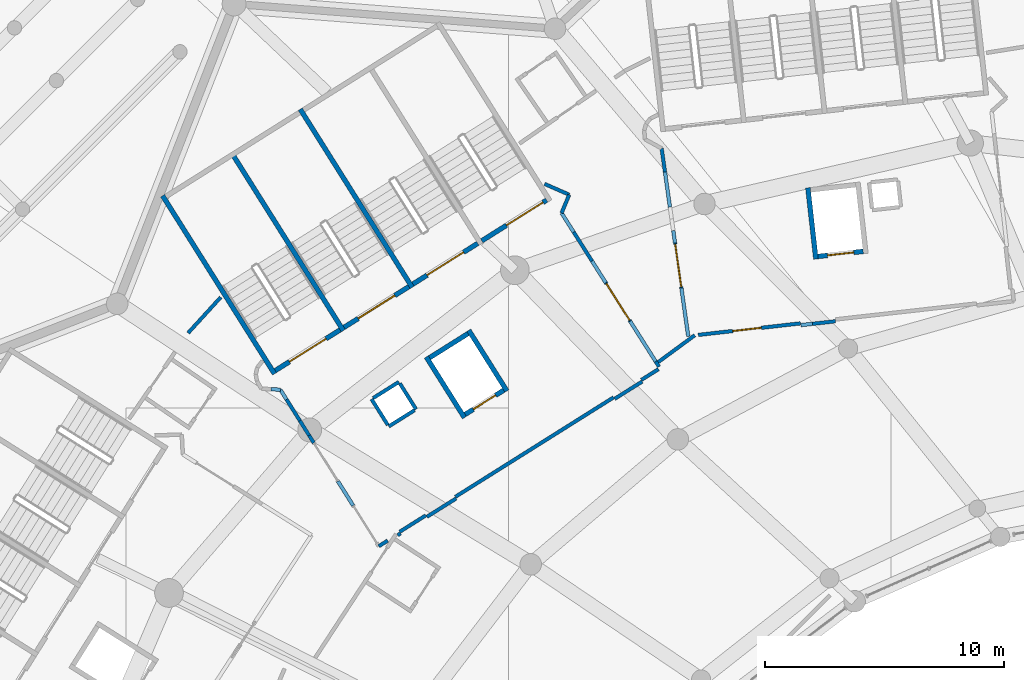
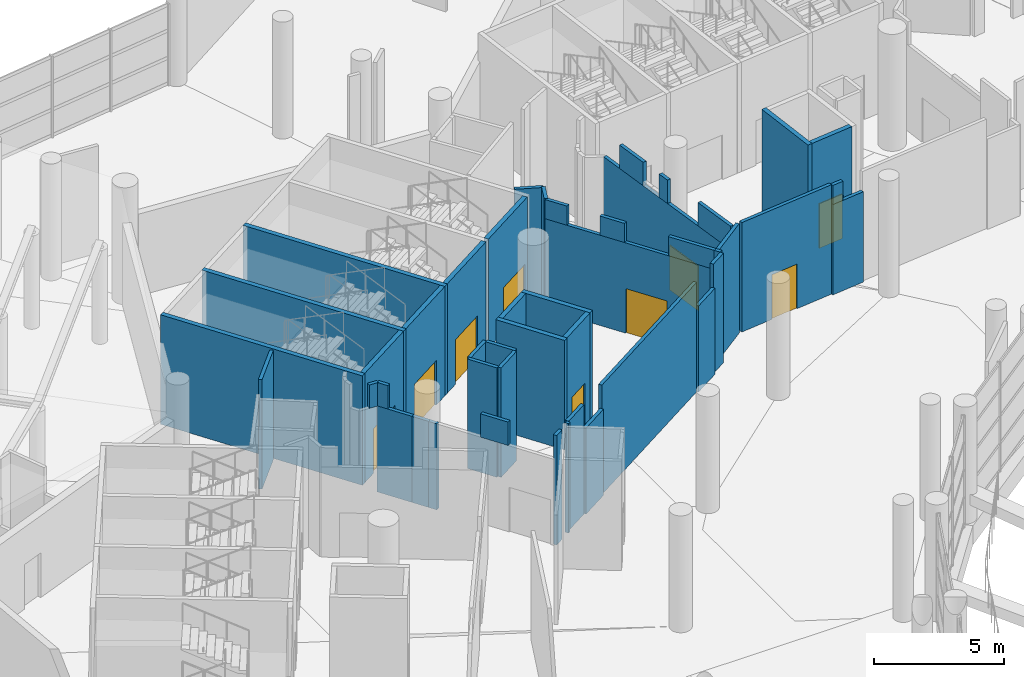
# One storey, part 185 of 271: 46 walls, 9 doors, 9 openings.
"""IFC4 building model written with IfcOpenShell, lengths in metres."""

from ifc_helpers import new_model, si_unit, direction, frame, frame_2d, origin, place, context, subcontext, project, spatial, rectangle, extrude, material, layer, layer_set, type_object, element, fill, save


model = new_model("IFC4")

# Units and contexts
model_context = context("Model", 3, precision=1e-05, world=origin(), true_north=direction((0.0, 1.0)))
body_context = subcontext(model_context, "Body", "Model", "MODEL_VIEW")
ifc_project = project(units=[si_unit("LENGTHUNIT", "METRE"), si_unit("AREAUNIT", "SQUARE_METRE"), si_unit("VOLUMEUNIT", "CUBIC_METRE"), si_unit("PLANEANGLEUNIT", "RADIAN"), si_unit("MASSUNIT", "GRAM", prefix="KILO")], contexts=[model_context])

# Site, building, storey
site_placement = place(None, origin())
site = spatial("IfcSite", under=ifc_project, at=site_placement, CompositionType="ELEMENT")
building_placement = place(site_placement, origin())
building = spatial("IfcBuilding", under=site, at=building_placement, Name="Meseta Stadium", CompositionType="ELEMENT")
storey_placement = place(building_placement, frame((0.0, 0.0, 6.5)))
storey = spatial("IfcBuildingStorey", under=building, at=storey_placement, Name="L01", CompositionType="ELEMENT", Elevation=6.5)

# Walls
ifc_material_1 = material(Name="Concrete C40/50", Category="concrete")
ifc_layer_1 = layer(ifc_material_1, 0.199951171875)
ifc_layer_set_1 = layer_set([ifc_layer_1], Name="Core divider wall 200")
wall_type_1 = type_object("IfcWallType", Name="Core divider wall 200", PredefinedType="SHEAR", material=ifc_layer_set_1)
wall_1_placement = place(storey_placement, frame((-75.5869140625, 90.696533203125, 0.0), z_axis=(0.0, 0.0, 1.0), x_axis=(0.532044832901, -0.846716183726, 0.0)))
element("IfcWall", 1, at=wall_1_placement, inside=storey, type_object=wall_type_1, Name="Core 13 L01 stair B divider wall", PredefinedType="SHEAR", context=body_context, shape_type="SweptSolid", body=[
    extrude(rectangle(XDim=8.7998046875, YDim=0.199951171875, at=frame_2d((4.39990234375, 0.0))), origin(), (0.0, 0.0, 1.0), 5.14990234375),
])
ifc_material_2 = material(Name="Concrete C40/50", Category="concrete")
ifc_layer_2 = layer(ifc_material_2, 0.199951171875)
ifc_layer_set_2 = layer_set([ifc_layer_2], Name="Core shaft wall 200")
wall_type_2 = type_object("IfcWallType", Name="Core shaft wall 200", PredefinedType="SHEAR", material=ifc_layer_set_2)
wall_2_placement = place(storey_placement, frame((-51.4755859375, 89.218505859375, 0.0), z_axis=(0.0, 0.0, 1.0), x_axis=(0.111976588553, -0.993710845073, 0.0)))
element("IfcWall", 2, at=wall_2_placement, inside=storey, type_object=wall_type_2, Name="Core 12 L01 lift shaft wall right", PredefinedType="SHEAR", context=body_context, shape_type="SweptSolid", body=[
    extrude(rectangle(XDim=3.0, YDim=0.199951171875, at=frame_2d((1.5, 0.0))), origin(), (0.0, 0.0, 1.0), 5.14990234375),
])

# Wall, opening, door
wall_3_placement = place(storey_placement, frame((-49.163330078125, 86.560791015625, 0.0), z_axis=(0.0, 0.0, 1.0), x_axis=(-0.993703808847, -0.112039012324, 0.0)))
wall_3 = element("IfcWall", 3, at=wall_3_placement, inside=storey, type_object=wall_type_2, Name="Core 12 L01 lift shaft front wall", PredefinedType="SHEAR", context=body_context, shape_type="SweptSolid", body=[
    extrude(rectangle(XDim=1.900146484375, YDim=0.199951171875, at=frame_2d((0.9501953125, 0.0))), origin(), (0.0, 0.0, 1.0), 5.14990234375),
])
opening_1_placement = place(wall_3_placement, frame((0.39990234375, 0.0, 0.0)))
opening_1 = element("IfcOpeningElement", 4, at=opening_1_placement, cuts=wall_3, Name="Opening LD65", PredefinedType="OPENING", context=body_context, shape_type="SweptSolid", body=[
    extrude(rectangle(XDim=1.10009765625, YDim=2.10009765625, at=frame_2d((0.550048828125, 1.050048828125))), frame((0.0, 0.10986328125, 0.0), z_axis=(0.0, -1.0, 0.0), x_axis=(1.0, 0.0, 0.0)), (0.0, 0.0, 1.0), 0.219970703125),
])
ifc_material_3 = material(Name="Steel", Category="steel")
door_type_1 = type_object("IfcDoorType", Name="Lift landing door 1100x2100", OperationType="SLIDING_TO_LEFT", PredefinedType="DOOR", material=ifc_material_3)
door_1_placement = place(opening_1_placement, origin())
door_1 = element("IfcDoor", 5, at=door_1_placement, inside=storey, type_object=door_type_1, Name="Lift landing door LD65", OperationType="SLIDING_TO_LEFT", OverallHeight=2.10009765625, OverallWidth=1.10009765625, PredefinedType="DOOR", context=body_context, shape_type="SweptSolid", body=[
    extrude(rectangle(XDim=1.10009765625, YDim=2.10009765625, at=frame_2d((0.550048828125, 1.050048828125))), frame((0.0, 0.02490234375, 0.0), z_axis=(0.0, -1.0, 0.0), x_axis=(1.0, 0.0, 0.0)), (0.0, 0.0, 1.0), 0.050048828125),
])
fill(opening_1, door_1)

# Walls
for number, where, z_axis, x_axis, name in (
    (6, (-72.7080078125, 92.505615234375, 0.0), (0.0, 0.0, 1.0), (0.532032334759, -0.846724036963, 0.0), "Core 13 L01 stair wall shared"),
    (7, (-78.4658203125, 88.8876953125, 0.0), (0.0, 0.0, 1.0), (0.532032334759, -0.846724036963, 0.0), "Core 13 L01 stair wall B-side"),
):
    element("IfcWall", number, at=place(storey_placement, frame(where, z_axis=z_axis, x_axis=x_axis)), inside=storey, type_object=wall_type_2, Name=name, PredefinedType="SHEAR", context=body_context, shape_type="SweptSolid", body=[
        extrude(rectangle(XDim=8.800048828125, YDim=0.199951171875, at=frame_2d((4.39990234375, 0.0))), origin(), (0.0, 0.0, 1.0), 5.14990234375),
    ])

# Wall, opening, door
wall_4_placement = place(storey_placement, frame((-62.40625, 88.70361328125, 0.0), z_axis=(0.0, 0.0, 1.0), x_axis=(-0.846735733015, -0.532013720158, 0.0)))
wall_4 = element("IfcWall", 8, at=wall_4_placement, inside=storey, type_object=wall_type_2, Name="Core 13 L01 stair A1 inner end wall", PredefinedType="SHEAR", context=body_context, shape_type="SweptSolid", body=[
    extrude(rectangle(XDim=3.199951171875, YDim=0.199951171875, at=frame_2d((1.60009765625, 0.0))), origin(), (0.0, 0.0, 1.0), 5.14990234375),
])
opening_2_placement = place(wall_4_placement, frame((0.177978515625, 0.0, 0.0)))
opening_2 = element("IfcOpeningElement", 9, at=opening_2_placement, cuts=wall_4, Name="Opening D183", PredefinedType="OPENING", context=body_context, shape_type="SweptSolid", body=[
    extrude(rectangle(XDim=1.800048828125, YDim=2.10009765625, at=frame_2d((0.89990234375, 1.050048828125))), frame((0.0, 0.10986328125, 0.0), z_axis=(0.0, -1.0, 0.0), x_axis=(1.0, 0.0, 0.0)), (0.0, 0.0, 1.0), 0.219970703125),
])
ifc_material_4 = material(Name="Steel", Category="steel")
door_type_2 = type_object("IfcDoorType", Name="Stair door 1800x2100", OperationType="DOUBLE_DOOR_SINGLE_SWING", PredefinedType="DOOR", material=ifc_material_4)
door_2_placement = place(opening_2_placement, origin())
door_2 = element("IfcDoor", 10, at=door_2_placement, inside=storey, type_object=door_type_2, Name="Stair A1 door 13 L01", OperationType="DOUBLE_DOOR_SINGLE_SWING", OverallHeight=2.10009765625, OverallWidth=1.800048828125, PredefinedType="DOOR", context=body_context, shape_type="SweptSolid", body=[
    extrude(rectangle(XDim=1.800048828125, YDim=2.10009765625, at=frame_2d((0.89990234375, 1.050048828125))), frame((0.0, 0.02490234375, 0.0), z_axis=(0.0, -1.0, 0.0), x_axis=(1.0, 0.0, 0.0)), (0.0, 0.0, 1.0), 0.050048828125),
])
fill(opening_2, door_2)

wall_5_placement = place(storey_placement, frame((-65.28515625, 86.894775390625, 0.0), z_axis=(0.0, 0.0, 1.0), x_axis=(-0.846735733015, -0.532013720158, 0.0)))
wall_5 = element("IfcWall", 11, at=wall_5_placement, inside=storey, type_object=wall_type_2, Name="Core 13 L01 stair A2 inner end wall", PredefinedType="SHEAR", context=body_context, shape_type="SweptSolid", body=[
    extrude(rectangle(XDim=3.199951171875, YDim=0.199951171875, at=frame_2d((1.60009765625, 0.0))), origin(), (0.0, 0.0, 1.0), 5.14990234375),
])
opening_3_placement = place(wall_5_placement, frame((0.699951171875, 0.0, 0.0)))
opening_3 = element("IfcOpeningElement", 12, at=opening_3_placement, cuts=wall_5, Name="Opening D184", PredefinedType="OPENING", context=body_context, shape_type="SweptSolid", body=[
    extrude(rectangle(XDim=1.800048828125, YDim=2.10009765625, at=frame_2d((0.89990234375, 1.050048828125))), frame((0.0, 0.10986328125, 0.0), z_axis=(0.0, -1.0, 0.0), x_axis=(1.0, 0.0, 0.0)), (0.0, 0.0, 1.0), 0.219970703125),
])
door_3_placement = place(opening_3_placement, origin())
door_3 = element("IfcDoor", 13, at=door_3_placement, inside=storey, type_object=door_type_2, Name="Stair A2 door 13 L01", OperationType="DOUBLE_DOOR_SINGLE_SWING", OverallHeight=2.10009765625, OverallWidth=1.800048828125, PredefinedType="DOOR", context=body_context, shape_type="SweptSolid", body=[
    extrude(rectangle(XDim=1.800048828125, YDim=2.10009765625, at=frame_2d((0.89990234375, 1.050048828125))), frame((0.0, 0.02490234375, 0.0), z_axis=(0.0, -1.0, 0.0), x_axis=(1.0, 0.0, 0.0)), (0.0, 0.0, 1.0), 0.050048828125),
])
fill(opening_3, door_3)

wall_6_placement = place(storey_placement, frame((-68.1640625, 85.0859375, 0.0), z_axis=(0.0, 0.0, 1.0), x_axis=(-0.84670136309, -0.53206841829, 0.0)))
wall_6 = element("IfcWall", 14, at=wall_6_placement, inside=storey, type_object=wall_type_2, Name="Core 13 L01 stair B1 inner end wall", PredefinedType="SHEAR", context=body_context, shape_type="SweptSolid", body=[
    extrude(rectangle(XDim=3.199951171875, YDim=0.199951171875, at=frame_2d((1.60009765625, 0.0))), origin(), (0.0, 0.0, 1.0), 5.14990234375),
])
opening_4_placement = place(wall_6_placement, frame((0.699951171875, 0.0, 0.0)))
opening_4 = element("IfcOpeningElement", 15, at=opening_4_placement, cuts=wall_6, Name="Opening D185", PredefinedType="OPENING", context=body_context, shape_type="SweptSolid", body=[
    extrude(rectangle(XDim=1.800048828125, YDim=2.10009765625, at=frame_2d((0.89990234375, 1.050048828125))), frame((0.0, 0.10986328125, 0.0), z_axis=(0.0, -1.0, 0.0), x_axis=(1.0, 0.0, 0.0)), (0.0, 0.0, 1.0), 0.219970703125),
])
door_4_placement = place(opening_4_placement, origin())
door_4 = element("IfcDoor", 16, at=door_4_placement, inside=storey, type_object=door_type_2, Name="Stair B1 door 13 L01", OperationType="DOUBLE_DOOR_SINGLE_SWING", OverallHeight=2.10009765625, OverallWidth=1.800048828125, PredefinedType="DOOR", context=body_context, shape_type="SweptSolid", body=[
    extrude(rectangle(XDim=1.800048828125, YDim=2.10009765625, at=frame_2d((0.89990234375, 1.050048828125))), frame((0.0, 0.02490234375, 0.0), z_axis=(0.0, -1.0, 0.0), x_axis=(1.0, 0.0, 0.0)), (0.0, 0.0, 1.0), 0.050048828125),
])
fill(opening_4, door_4)

wall_7_placement = place(storey_placement, frame((-71.04296875, 83.27685546875, 0.0), z_axis=(0.0, 0.0, 1.0), x_axis=(-0.846735733015, -0.532013720158, 0.0)))
wall_7 = element("IfcWall", 17, at=wall_7_placement, inside=storey, type_object=wall_type_2, Name="Core 13 L01 stair B2 inner end wall", PredefinedType="SHEAR", context=body_context, shape_type="SweptSolid", body=[
    extrude(rectangle(XDim=3.199951171875, YDim=0.199951171875, at=frame_2d((1.60009765625, 0.0))), origin(), (0.0, 0.0, 1.0), 5.14990234375),
])
opening_5_placement = place(wall_7_placement, frame((0.699951171875, 0.0, 0.0)))
opening_5 = element("IfcOpeningElement", 18, at=opening_5_placement, cuts=wall_7, Name="Opening D186", PredefinedType="OPENING", context=body_context, shape_type="SweptSolid", body=[
    extrude(rectangle(XDim=1.800048828125, YDim=2.10009765625, at=frame_2d((0.89990234375, 1.050048828125))), frame((0.0, 0.10986328125, 0.0), z_axis=(0.0, -1.0, 0.0), x_axis=(1.0, 0.0, 0.0)), (0.0, 0.0, 1.0), 0.219970703125),
])
door_5_placement = place(opening_5_placement, origin())
door_5 = element("IfcDoor", 19, at=door_5_placement, inside=storey, type_object=door_type_2, Name="Stair B2 door 13 L01", OperationType="DOUBLE_DOOR_SINGLE_SWING", OverallHeight=2.10009765625, OverallWidth=1.800048828125, PredefinedType="DOOR", context=body_context, shape_type="SweptSolid", body=[
    extrude(rectangle(XDim=1.800048828125, YDim=2.10009765625, at=frame_2d((0.89990234375, 1.050048828125))), frame((0.0, 0.02490234375, 0.0), z_axis=(0.0, -1.0, 0.0), x_axis=(1.0, 0.0, 0.0)), (0.0, 0.0, 1.0), 0.050048828125),
])
fill(opening_5, door_5)

# Walls
wall_8_placement = place(storey_placement, frame((-65.658935546875, 83.260498046875, 0.0), z_axis=(0.0, 0.0, 1.0), x_axis=(0.532074873955, -0.846697306306, 0.0)))
element("IfcWall", 20, at=wall_8_placement, inside=storey, type_object=wall_type_2, Name="Core 13 L01 lift shaft wall left", PredefinedType="SHEAR", context=body_context, shape_type="SweptSolid", body=[
    extrude(rectangle(XDim=3.0, YDim=0.199951171875, at=frame_2d((1.5, 0.0))), origin(), (0.0, 0.0, 1.0), 5.14990234375),
])
wall_9_placement = place(storey_placement, frame((-67.43701171875, 82.143310546875, 0.0), z_axis=(0.0, 0.0, 1.0), x_axis=(0.532038212918, -0.84672034344, 0.0)))
element("IfcWall", 21, at=wall_9_placement, inside=storey, type_object=wall_type_2, Name="Core 13 L01 lift shaft wall right", PredefinedType="SHEAR", context=body_context, shape_type="SweptSolid", body=[
    extrude(rectangle(XDim=3.000244140625, YDim=0.199951171875, at=frame_2d((1.5, 0.0))), origin(), (0.0, 0.0, 1.0), 5.14990234375),
])
wall_10_placement = place(storey_placement, frame((-65.6904296875, 83.122802734375, 0.0), z_axis=(0.0, 0.0, 1.0), x_axis=(-0.846674592738, -0.532111016623, 0.0)))
element("IfcWall", 22, at=wall_10_placement, inside=storey, type_object=wall_type_2, Name="Core 13 L01 lift shaft back wall", PredefinedType="SHEAR", context=body_context, shape_type="SweptSolid", body=[
    extrude(rectangle(XDim=1.89990234375, YDim=0.199951171875, at=frame_2d((0.949951171875, 0.0))), origin(), (0.0, 0.0, 1.0), 5.14990234375),
])

# Wall, opening, door
wall_11_placement = place(storey_placement, frame((-64.20068359375, 80.751708984375, 0.0), z_axis=(0.0, 0.0, 1.0), x_axis=(-0.846768850524, -0.531961007765, 0.0)))
wall_11 = element("IfcWall", 23, at=wall_11_placement, inside=storey, type_object=wall_type_2, Name="Core 13 L01 lift shaft front wall", PredefinedType="SHEAR", context=body_context, shape_type="SweptSolid", body=[
    extrude(rectangle(XDim=1.900146484375, YDim=0.199951171875, at=frame_2d((0.9501953125, 0.0))), origin(), (0.0, 0.0, 1.0), 5.14990234375),
])
opening_6_placement = place(wall_11_placement, frame((0.39990234375, 0.0, 0.0)))
opening_6 = element("IfcOpeningElement", 24, at=opening_6_placement, cuts=wall_11, Name="Opening LD70", PredefinedType="OPENING", context=body_context, shape_type="SweptSolid", body=[
    extrude(rectangle(XDim=1.10009765625, YDim=2.10009765625, at=frame_2d((0.550048828125, 1.050048828125))), frame((0.0, 0.10986328125, 0.0), z_axis=(0.0, -1.0, 0.0), x_axis=(1.0, 0.0, 0.0)), (0.0, 0.0, 1.0), 0.219970703125),
])
door_6_placement = place(opening_6_placement, origin())
door_6 = element("IfcDoor", 25, at=door_6_placement, inside=storey, type_object=door_type_1, Name="Lift landing door LD70", OperationType="SLIDING_TO_RIGHT", OverallHeight=2.10009765625, OverallWidth=1.10009765625, PredefinedType="DOOR", context=body_context, shape_type="SweptSolid", body=[
    extrude(rectangle(XDim=1.10009765625, YDim=2.10009765625, at=frame_2d((0.550048828125, 1.050048828125))), frame((0.0, 0.02490234375, 0.0), z_axis=(0.0, -1.0, 0.0), x_axis=(1.0, 0.0, 0.0)), (0.0, 0.0, 1.0), 0.050048828125),
])
fill(opening_6, door_6)

# Walls
ifc_material_5 = material(Name="Masonry blockwork", Category="masonry")
ifc_layer_3 = layer(ifc_material_5, 0.14990234375)
ifc_layer_set_3 = layer_set([ifc_layer_3], Name="Partition 150")
wall_type_3 = type_object("IfcWallType", Name="Partition 150", PredefinedType="PARTITIONING", material=ifc_layer_set_3)
wall_12_placement = place(storey_placement, frame((-58.4365234375, 81.18505859375, 0.0), z_axis=(0.0, 0.0, 1.0), x_axis=(0.846703986053, 0.532064244244, 0.0)))
element("IfcWall", 26, at=wall_12_placement, inside=storey, type_object=wall_type_3, Name="Partition L01 L01-cell11-0-0", PredefinedType="PARTITIONING", context=body_context, shape_type="SweptSolid", body=[
    extrude(rectangle(XDim=0.8388671875, YDim=0.14990234375, at=frame_2d((0.41943359375, 0.0))), origin(), (0.0, 0.0, 1.0), 5.14990234375),
])
wall_13_placement = place(storey_placement, frame((-57.796142578125, 81.883544921875, 0.0), z_axis=(0.0, 0.0, 1.0), x_axis=(0.805706705003, 0.592314701416, 0.0)))
element("IfcWall", 27, at=wall_13_placement, inside=storey, type_object=wall_type_3, Name="Partition L01 L01-cell11-0-0", PredefinedType="PARTITIONING", context=body_context, shape_type="SweptSolid", body=[
    extrude(rectangle(XDim=1.968994140625, YDim=0.14990234375, at=frame_2d((0.984375, 0.0))), origin(), (0.0, 0.0, 1.0), 5.14990234375),
])

# Wall, opening, door
wall_14_placement = place(storey_placement, frame((-56.060302734375, 83.06640625, 0.0), z_axis=(0.0, 0.0, 1.0), x_axis=(0.993712844466, 0.111958843972, 0.0)))
wall_14 = element("IfcWall", 28, at=wall_14_placement, inside=storey, type_object=wall_type_3, Name="Partition L01 L01-cell11-0-0", PredefinedType="PARTITIONING", context=body_context, shape_type="SweptSolid", body=[
    extrude(rectangle(XDim=4.298095703125, YDim=0.14990234375, at=frame_2d((2.14892578125, 0.0))), origin(), (0.0, 0.0, 1.0), 5.14990234375),
])
opening_7_placement = place(wall_14_placement, frame((1.449951171875, 0.0, 0.0)))
opening_7 = element("IfcOpeningElement", 29, at=opening_7_placement, cuts=wall_14, Name="Opening D654", PredefinedType="OPENING", context=body_context, shape_type="SweptSolid", body=[
    extrude(rectangle(XDim=1.199951171875, YDim=2.10009765625, at=frame_2d((0.60009765625, 1.050048828125))), frame((0.0, 0.0849609375, 0.0), z_axis=(0.0, -1.0, 0.0), x_axis=(1.0, 0.0, 0.0)), (0.0, 0.0, 1.0), 0.169921875),
])
ifc_material_6 = material(Name="Steel", Category="steel")
door_type_3 = type_object("IfcDoorType", Name="Fire door 1200x2100 EI2 60", OperationType="NOTDEFINED", PredefinedType="DOOR", material=ifc_material_6)
door_7_placement = place(opening_7_placement, origin())
door_7 = element("IfcDoor", 30, at=door_7_placement, inside=storey, type_object=door_type_3, Name="Door D654", OperationType="SINGLE_SWING_LEFT", OverallHeight=2.10009765625, OverallWidth=1.199951171875, PredefinedType="DOOR", context=body_context, shape_type="SweptSolid", body=[
    extrude(rectangle(XDim=1.199951171875, YDim=2.10009765625, at=frame_2d((0.60009765625, 1.050048828125))), frame((0.0, 0.02490234375, 0.0), z_axis=(0.0, -1.0, 0.0), x_axis=(1.0, 0.0, 0.0)), (0.0, 0.0, 1.0), 0.050048828125),
])
fill(opening_7, door_7)

# Walls
wall_15_placement = place(storey_placement, frame((-68.547607421875, 74.83154296875, 0.0), z_axis=(0.0, 0.0, 1.0), x_axis=(0.846736781525, 0.53201205138, 0.0)))
element("IfcWall", 31, at=wall_15_placement, inside=storey, type_object=wall_type_3, Name="Partition L01 L01-cell12-0-0", PredefinedType="PARTITIONING", context=body_context, shape_type="SweptSolid", body=[
    extrude(rectangle(XDim=1.285400390625, YDim=0.14990234375, at=frame_2d((0.642578125, 0.0))), origin(), (0.0, 0.0, 1.0), 5.14990234375),
])
wall_16_placement = place(storey_placement, frame((-66.21875, 76.294921875, 0.0), z_axis=(0.0, 0.0, 1.0), x_axis=(0.846710948696, 0.532053164035, 0.0)))
element("IfcWall", 32, at=wall_16_placement, inside=storey, type_object=wall_type_3, Name="Partition L01 L01-cell12-0-0", PredefinedType="PARTITIONING", context=body_context, shape_type="SweptSolid", body=[
    extrude(rectangle(XDim=7.81396484375, YDim=0.14990234375, at=frame_2d((3.906982421875, 0.0))), origin(), (0.0, 0.0, 1.0), 5.14990234375),
])
wall_17_placement = place(storey_placement, frame((-76.033935546875, 84.6416015625, 0.0), z_axis=(0.0, 0.0, 1.0), x_axis=(-0.674206513209, -0.738542874548, 0.0)))
element("IfcWall", 33, at=wall_17_placement, inside=storey, type_object=wall_type_3, Name="Partition L01 L01-cell12-2-0", PredefinedType="PARTITIONING", context=body_context, shape_type="SweptSolid", body=[
    extrude(rectangle(XDim=2.0263671875, YDim=0.14990234375, at=frame_2d((1.01318359375, 0.0))), origin(), (0.0, 0.0, 1.0), 5.14990234375),
])

# Wall, opening, door
wall_18_placement = place(storey_placement, frame((-57.592529296875, 90.867431640625, 0.0), z_axis=(0.0, 0.0, 1.0), x_axis=(0.140232964497, -0.990118536171, 0.0)))
wall_18 = element("IfcWall", 34, at=wall_18_placement, inside=storey, type_object=wall_type_3, Name="Stair vestibule wall L01 core 12", PredefinedType="PARTITIONING", context=body_context, shape_type="SweptSolid", body=[
    extrude(rectangle(XDim=7.938720703125, YDim=0.14990234375, at=frame_2d((3.96923828125, 0.0))), origin(), (0.0, 0.0, 1.0), 4.050048828125),
])
opening_8_placement = place(wall_18_placement, frame((4.050048828125, 0.0, 0.0)))
opening_8 = element("IfcOpeningElement", 35, at=opening_8_placement, cuts=wall_18, Name="Opening D771", PredefinedType="OPENING", context=body_context, shape_type="SweptSolid", body=[
    extrude(rectangle(XDim=1.800048828125, YDim=2.10009765625, at=frame_2d((0.89990234375, 1.050048828125))), frame((0.0, 0.0849609375, 0.0), z_axis=(0.0, -1.0, 0.0), x_axis=(1.0, 0.0, 0.0)), (0.0, 0.0, 1.0), 0.169921875),
])
ifc_material_7 = material(Name="Steel", Category="steel")
door_type_4 = type_object("IfcDoorType", Name="Fire double door 1800x2100 EI2 60", OperationType="DOUBLE_DOOR_SINGLE_SWING", PredefinedType="DOOR", material=ifc_material_7)
door_8_placement = place(opening_8_placement, origin())
door_8 = element("IfcDoor", 36, at=door_8_placement, inside=storey, type_object=door_type_4, Name="Stair vestibule door L01 core 12", OperationType="DOUBLE_DOOR_SINGLE_SWING", OverallHeight=2.10009765625, OverallWidth=1.800048828125, PredefinedType="DOOR", context=body_context, shape_type="SweptSolid", body=[
    extrude(rectangle(XDim=1.800048828125, YDim=2.10009765625, at=frame_2d((0.89990234375, 1.050048828125))), frame((0.0, 0.02490234375, 0.0), z_axis=(0.0, -1.0, 0.0), x_axis=(1.0, 0.0, 0.0)), (0.0, 0.0, 1.0), 0.050048828125),
])
fill(opening_8, door_8)

# Walls
wall_19_placement = place(storey_placement, frame((-57.453369140625, 89.885009765625, 4.050048828125), z_axis=(0.0, 0.0, 1.0), x_axis=(0.140227271462, -0.990119342473, 0.0)))
element("IfcWall", 37, at=wall_19_placement, inside=storey, type_object=wall_type_3, Name="Stair vestibule wall L01 core 12", PredefinedType="PARTITIONING", context=body_context, shape_type="SweptSolid", body=[
    extrude(rectangle(XDim=1.488525390625, YDim=0.14990234375, at=frame_2d((0.744140625, 0.0))), origin(), (0.0, 0.0, 1.0), 1.099853515625),
])
wall_20_placement = place(storey_placement, frame((-57.10546875, 87.4287109375, 4.050048828125), z_axis=(0.0, 0.0, 1.0), x_axis=(0.140383460203, -0.99009720942, 0.0)))
element("IfcWall", 38, at=wall_20_placement, inside=storey, type_object=wall_type_3, Name="Stair vestibule wall L01 core 12", PredefinedType="PARTITIONING", context=body_context, shape_type="SweptSolid", body=[
    extrude(rectangle(XDim=0.52685546875, YDim=0.14990234375, at=frame_2d((0.263427734375, 0.0))), origin(), (0.0, 0.0, 1.0), 1.099853515625),
])
wall_21_placement = place(storey_placement, frame((-51.77099609375, 83.474365234375, 0.0), z_axis=(0.0, 0.0, 1.0), x_axis=(0.993709511216, 0.111988424929, 0.0)))
element("IfcWall", 39, at=wall_21_placement, inside=storey, type_object=wall_type_3, Name="Stair vestibule wall L01 core 12", PredefinedType="PARTITIONING", context=body_context, shape_type="SweptSolid", body=[
    extrude(rectangle(XDim=1.462890625, YDim=0.14990234375, at=frame_2d((0.7314453125, 0.0))), origin(), (0.0, 0.0, 1.0), 4.25),
])
wall_22_placement = place(storey_placement, frame((-51.77099609375, 83.474365234375, 4.25), z_axis=(0.0, 0.0, 1.0), x_axis=(0.993748684421, 0.111640280416, 0.0)))
element("IfcWall", 40, at=wall_22_placement, inside=storey, type_object=wall_type_3, Name="Stair vestibule wall L01 core 12", PredefinedType="PARTITIONING", context=body_context, shape_type="SweptSolid", body=[
    extrude(rectangle(XDim=0.487548828125, YDim=0.14990234375, at=frame_2d((0.24365234375, 0.0))), origin(), (0.0, 0.0, 1.0), 0.89990234375),
])
for number, where, z_axis, x_axis, name in (
    (41, (-68.58203125, 81.09912109375, 0.0), (0.0, 0.0, 1.0), (-0.846683377265, -0.532097038765, 0.0), "Pressurisation shaft wall L01 core 13"),
    (42, (-69.72509765625, 80.380859375, 0.0), (0.0, 0.0, 1.0), (0.532097038765, -0.846683377265, 0.0), "Pressurisation shaft wall L01 core 13"),
):
    element("IfcWall", number, at=place(storey_placement, frame(where, z_axis=z_axis, x_axis=x_axis)), inside=storey, type_object=wall_type_3, Name=name, PredefinedType="PARTITIONING", context=body_context, shape_type="SweptSolid", body=[
        extrude(rectangle(XDim=1.275146484375, YDim=0.14990234375, at=frame_2d((0.6376953125, 0.0))), origin(), (0.0, 0.0, 1.0), 5.14990234375),
    ])
for number, where, z_axis, x_axis, name in (
    (43, (-69.0068359375, 79.23779296875, 0.0), (0.0, 0.0, 1.0), (0.846769635862, 0.531959757672, 0.0), "Pressurisation shaft wall L01 core 13"),
    (44, (-67.86376953125, 79.9560546875, 0.0), (0.0, 0.0, 1.0), (-0.531959757672, 0.846769635862, 0.0), "Pressurisation shaft wall L01 core 13"),
):
    element("IfcWall", number, at=place(storey_placement, frame(where, z_axis=z_axis, x_axis=x_axis)), inside=storey, type_object=wall_type_3, Name=name, PredefinedType="PARTITIONING", context=body_context, shape_type="SweptSolid", body=[
        extrude(rectangle(XDim=1.27490234375, YDim=0.14990234375, at=frame_2d((0.637451171875, 0.0))), origin(), (0.0, 0.0, 1.0), 5.14990234375),
    ])
wall_23_placement = place(storey_placement, frame((-73.93701171875, 80.79541015625, 4.050048828125), z_axis=(0.0, 0.0, 1.0), x_axis=(0.998641436445, -0.052108362245, 0.0)))
element("IfcWall", 45, at=wall_23_placement, inside=storey, type_object=wall_type_3, Name="Stair vestibule wall L01 core 13", PredefinedType="PARTITIONING", context=body_context, shape_type="SweptSolid", body=[
    extrude(rectangle(XDim=0.398193359375, YDim=0.14990234375, at=frame_2d((0.19921875, 0.0))), origin(), (0.0, 0.0, 1.0), 1.099853515625),
])
wall_24_placement = place(storey_placement, frame((-73.539306640625, 80.774658203125, 0.0), z_axis=(0.0, 0.0, 1.0), x_axis=(0.532103006557, -0.846679626785, 0.0)))
element("IfcWall", 46, at=wall_24_placement, inside=storey, type_object=wall_type_3, Name="Stair vestibule wall L01 core 13", PredefinedType="PARTITIONING", context=body_context, shape_type="SweptSolid", body=[
    extrude(rectangle(XDim=1.531982421875, YDim=0.14990234375, at=frame_2d((0.76611328125, 0.0))), origin(), (0.0, 0.0, 1.0), 4.050048828125),
])
wall_25_placement = place(storey_placement, frame((-73.539306640625, 80.774658203125, 4.050048828125), z_axis=(0.0, 0.0, 1.0), x_axis=(0.531995638284, -0.846747093793, 0.0)))
element("IfcWall", 47, at=wall_25_placement, inside=storey, type_object=wall_type_3, Name="Stair vestibule wall L01 core 13", PredefinedType="PARTITIONING", context=body_context, shape_type="SweptSolid", body=[
    extrude(rectangle(XDim=0.483154296875, YDim=0.14990234375, at=frame_2d((0.24169921875, 0.0))), origin(), (0.0, 0.0, 1.0), 1.099853515625),
])
wall_26_placement = place(storey_placement, frame((-71.1318359375, 76.943603515625, 4.050048828125), z_axis=(0.0, 0.0, 1.0), x_axis=(0.5320090412, -0.846738672839, 0.0)))
element("IfcWall", 48, at=wall_26_placement, inside=storey, type_object=wall_type_3, Name="Stair vestibule wall L01 core 13", PredefinedType="PARTITIONING", context=body_context, shape_type="SweptSolid", body=[
    extrude(rectangle(XDim=1.199951171875, YDim=0.14990234375, at=frame_2d((0.60009765625, 0.0))), origin(), (0.0, 0.0, 1.0), 1.099853515625),
])
wall_27_placement = place(storey_placement, frame((-69.425048828125, 74.227294921875, 0.0), z_axis=(0.0, 0.0, 1.0), x_axis=(0.846757169089, 0.531979601674, 0.0)))
element("IfcWall", 49, at=wall_27_placement, inside=storey, type_object=wall_type_3, Name="Stair vestibule wall L01 core 13", PredefinedType="PARTITIONING", context=body_context, shape_type="SweptSolid", body=[
    extrude(rectangle(XDim=0.44287109375, YDim=0.14990234375, at=frame_2d((0.221435546875, 0.0))), origin(), (0.0, 0.0, 1.0), 5.14990234375),
])
wall_28_placement = place(storey_placement, frame((-68.632568359375, 74.689697265625, 0.0), z_axis=(0.0, 0.0, 1.0), x_axis=(0.845995317019, 0.533190325852, 0.0)))
element("IfcWall", 50, at=wall_28_placement, inside=storey, type_object=wall_type_3, Name="Stair vestibule wall L01 core 13", PredefinedType="PARTITIONING", context=body_context, shape_type="SweptSolid", body=[
    extrude(rectangle(XDim=0.137451171875, YDim=0.14990234375, at=frame_2d((0.06884765625, 0.0))), origin(), (0.0, 0.0, 1.0), 5.14990234375),
])
wall_29_placement = place(storey_placement, frame((-67.410888671875, 75.457275390625, 0.0), z_axis=(0.0, 0.0, 1.0), x_axis=(0.846666992422, 0.532123109762, 0.0)))
element("IfcWall", 51, at=wall_29_placement, inside=storey, type_object=wall_type_3, Name="Stair vestibule wall L01 core 13", PredefinedType="PARTITIONING", context=body_context, shape_type="SweptSolid", body=[
    extrude(rectangle(XDim=1.4453125, YDim=0.14990234375, at=frame_2d((0.72265625, 0.0))), origin(), (0.0, 0.0, 1.0), 4.050048828125),
])
wall_30_placement = place(storey_placement, frame((-59.55419921875, 80.39404296875, 0.0), z_axis=(0.0, 0.0, 1.0), x_axis=(0.846692118789, 0.532083128825, 0.0)))
element("IfcWall", 52, at=wall_30_placement, inside=storey, type_object=wall_type_3, Name="Stair vestibule wall L01 core 13", PredefinedType="PARTITIONING", context=body_context, shape_type="SweptSolid", body=[
    extrude(rectangle(XDim=1.357177734375, YDim=0.14990234375, at=frame_2d((0.6787109375, 0.0))), origin(), (0.0, 0.0, 1.0), 4.050048828125),
])

# Wall, opening, door
wall_31_placement = place(storey_placement, frame((-57.840087890625, 81.951904296875, 0.0), z_axis=(0.0, 0.0, 1.0), x_axis=(-0.535334739104, 0.844639992605, 0.0)))
wall_31 = element("IfcWall", 53, at=wall_31_placement, inside=storey, type_object=wall_type_3, Name="Stair vestibule wall L01 core 13", PredefinedType="PARTITIONING", context=body_context, shape_type="SweptSolid", body=[
    extrude(rectangle(XDim=7.355712890625, YDim=0.14990234375, at=frame_2d((3.677734375, 0.0))), origin(), (0.0, 0.0, 1.0), 4.25),
])
opening_9_placement = place(wall_31_placement, frame((2.050048828125, 0.0, 0.0)))
opening_9 = element("IfcOpeningElement", 54, at=opening_9_placement, cuts=wall_31, Name="Opening D773", PredefinedType="OPENING", context=body_context, shape_type="SweptSolid", body=[
    extrude(rectangle(XDim=1.800048828125, YDim=2.10009765625, at=frame_2d((0.89990234375, 1.050048828125))), frame((0.0, 0.0849609375, 0.0), z_axis=(0.0, -1.0, 0.0), x_axis=(1.0, 0.0, 0.0)), (0.0, 0.0, 1.0), 0.169921875),
])
door_9_placement = place(opening_9_placement, origin())
door_9 = element("IfcDoor", 55, at=door_9_placement, inside=storey, type_object=door_type_4, Name="Stair vestibule door L01 core 13", OperationType="DOUBLE_DOOR_SINGLE_SWING", OverallHeight=2.10009765625, OverallWidth=1.800048828125, PredefinedType="DOOR", context=body_context, shape_type="SweptSolid", body=[
    extrude(rectangle(XDim=1.800048828125, YDim=2.10009765625, at=frame_2d((0.89990234375, 1.050048828125))), frame((0.0, 0.02490234375, 0.0), z_axis=(0.0, -1.0, 0.0), x_axis=(1.0, 0.0, 0.0)), (0.0, 0.0, 1.0), 0.050048828125),
])
fill(opening_9, door_9)

# Walls
wall_32_placement = place(storey_placement, frame((-59.927978515625, 85.24609375, 4.25), z_axis=(0.0, 0.0, 1.0), x_axis=(-0.535353245771, 0.844628262754, 0.0)))
element("IfcWall", 56, at=wall_32_placement, inside=storey, type_object=wall_type_3, Name="Stair vestibule wall L01 core 13", PredefinedType="PARTITIONING", context=body_context, shape_type="SweptSolid", body=[
    extrude(rectangle(XDim=1.079833984375, YDim=0.14990234375, at=frame_2d((0.5400390625, 0.0))), origin(), (0.0, 0.0, 1.0), 0.89990234375),
])
wall_33_placement = place(storey_placement, frame((-61.26904296875, 87.3623046875, 4.25), z_axis=(0.0, 0.0, 1.0), x_axis=(-0.535461572683, 0.844559591847, 0.0)))
element("IfcWall", 57, at=wall_33_placement, inside=storey, type_object=wall_type_3, Name="Stair vestibule wall L01 core 13", PredefinedType="PARTITIONING", context=body_context, shape_type="SweptSolid", body=[
    extrude(rectangle(XDim=0.9501953125, YDim=0.14990234375, at=frame_2d((0.47509765625, 0.0))), origin(), (0.0, 0.0, 1.0), 0.89990234375),
])
wall_34_placement = place(storey_placement, frame((-61.77783203125, 88.164794921875, 0.0), z_axis=(0.0, 0.0, 1.0), x_axis=(0.385241733665, 0.92281569484, 0.0)))
element("IfcWall", 58, at=wall_34_placement, inside=storey, type_object=wall_type_3, Name="Stair vestibule wall L01 core 13", PredefinedType="PARTITIONING", context=body_context, shape_type="SweptSolid", body=[
    extrude(rectangle(XDim=0.830078125, YDim=0.14990234375, at=frame_2d((0.4150390625, 0.0))), origin(), (0.0, 0.0, 1.0), 5.14990234375),
])
wall_35_placement = place(storey_placement, frame((-61.4580078125, 88.930908203125, 0.0), z_axis=(0.0, 0.0, 1.0), x_axis=(-0.916321285773, 0.400443880263, 0.0)))
element("IfcWall", 59, at=wall_35_placement, inside=storey, type_object=wall_type_3, Name="Stair vestibule wall L01 core 13", PredefinedType="PARTITIONING", context=body_context, shape_type="SweptSolid", body=[
    extrude(rectangle(XDim=1.127197265625, YDim=0.14990234375, at=frame_2d((0.5634765625, 0.0))), origin(), (0.0, 0.0, 1.0), 5.14990234375),
])
wall_36_placement = place(storey_placement, frame((-72.72412109375, 79.4775390625, 0.0), z_axis=(0.0, 0.0, 1.0), x_axis=(0.531986173683, -0.846753040154, 0.0)))
element("IfcWall", 60, at=wall_36_placement, inside=storey, type_object=wall_type_3, Name="Stair vestibule wall L01 core 13", PredefinedType="PARTITIONING", context=body_context, shape_type="SweptSolid", body=[
    extrude(rectangle(XDim=0.728271484375, YDim=0.14990234375, at=frame_2d((0.3642578125, 0.0))), origin(), (0.0, 0.0, 1.0), 4.050048828125),
])
wall_37_placement = place(storey_placement, frame((-72.336669921875, 78.86083984375, 0.0), z_axis=(0.0, 0.0, 1.0), x_axis=(0.532226455425, -0.84660203174, 0.0)))
element("IfcWall", 61, at=wall_37_placement, inside=storey, type_object=wall_type_3, Name="Stair vestibule wall L01 core 13", PredefinedType="PARTITIONING", context=body_context, shape_type="SweptSolid", body=[
    extrude(rectangle(XDim=0.3642578125, YDim=0.14990234375, at=frame_2d((0.18212890625, 0.0))), origin(), (0.0, 0.0, 1.0), 4.050048828125),
])
wall_38_placement = place(storey_placement, frame((-57.70263671875, 81.735107421875, 0.0), z_axis=(0.0, 0.0, 1.0), x_axis=(-0.535459302441, 0.844561031204, 0.0)))
element("IfcWall", 62, at=wall_38_placement, inside=storey, type_object=wall_type_3, Name="Stair vestibule wall L01 core 13", PredefinedType="PARTITIONING", context=body_context, shape_type="SweptSolid", body=[
    extrude(rectangle(XDim=0.256591796875, YDim=0.14990234375, at=frame_2d((0.12841796875, 0.0))), origin(), (0.0, 0.0, 1.0), 5.14990234375),
])
wall_39_placement = place(storey_placement, frame((-56.76513671875, 85.02587890625, 4.050048828125), z_axis=(0.0, 0.0, 1.0), x_axis=(0.140214282748, -0.990121181934, 0.0)))
element("IfcWall", 63, at=wall_39_placement, inside=storey, type_object=wall_type_3, Name="Stair vestibule wall L01 core 12", PredefinedType="PARTITIONING", context=body_context, shape_type="SweptSolid", body=[
    extrude(rectangle(XDim=2.0390625, YDim=0.14990234375, at=frame_2d((1.01953125, 0.0))), origin(), (0.0, 0.0, 1.0), 1.099853515625),
])
wall_40_placement = place(storey_placement, frame((-57.840087890625, 81.951904296875, 4.25), z_axis=(0.0, 0.0, 1.0), x_axis=(-0.535397626239, 0.844600131315, 0.0)))
element("IfcWall", 64, at=wall_40_placement, inside=storey, type_object=wall_type_3, Name="Stair vestibule wall L01 core 13", PredefinedType="PARTITIONING", context=body_context, shape_type="SweptSolid", body=[
    extrude(rectangle(XDim=2.0, YDim=0.14990234375, at=frame_2d((1.0, 0.0))), origin(), (0.0, 0.0, 1.0), 0.89990234375),
])

save(model, "model.ifc")
